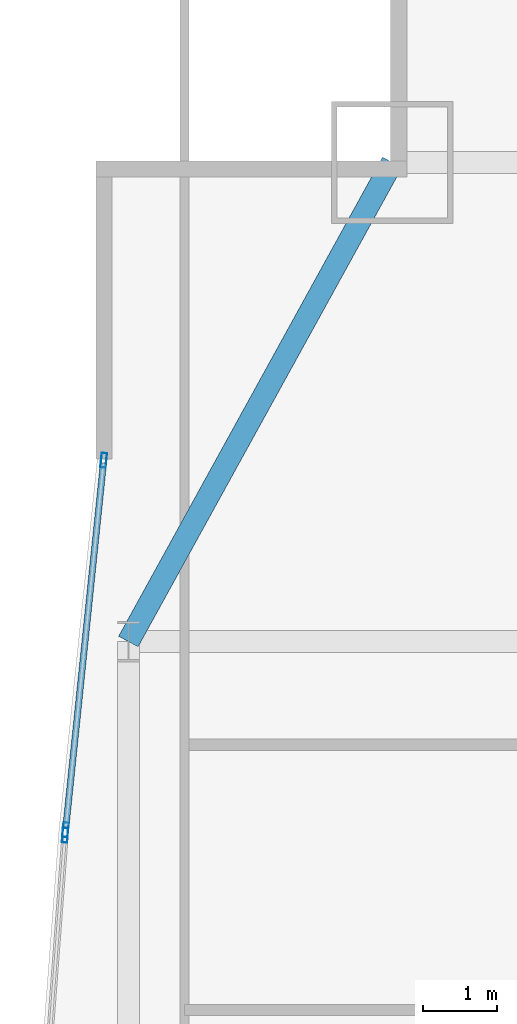
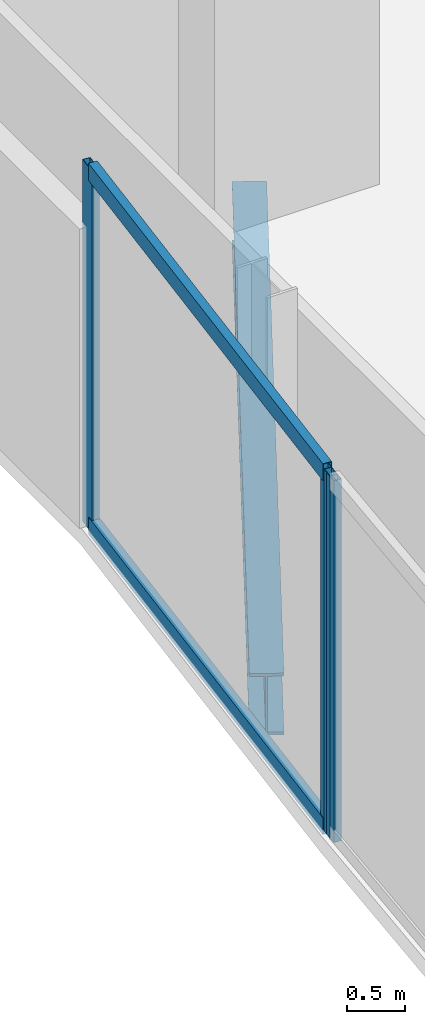
# One storey, part 16 of 32: 5 members, 1 beam, 2 elements without a shape of their own.
"""IFC4 building model written with IfcOpenShell, lengths in metres."""

from ifc_helpers import new_model, si_unit, direction, frame, origin, origin_2d, place, context, subcontext, project, spatial, hollow_rectangle, i_section, extrude, material, material_profile, profile_set, type_object, element, aggregate, save


model = new_model("IFC4")

# Units and contexts
model_context = context("Model", 3, precision=1e-05, world=origin(), true_north=direction((0.0, 1.0)))
body_context = subcontext(model_context, "Body", "Model", "MODEL_VIEW")
ifc_project = project(units=[si_unit("LENGTHUNIT", "METRE"), si_unit("AREAUNIT", "SQUARE_METRE"), si_unit("VOLUMEUNIT", "CUBIC_METRE"), si_unit("PLANEANGLEUNIT", "RADIAN"), si_unit("MASSUNIT", "GRAM", prefix="KILO")], contexts=[model_context])

# Site, building, storey
site_placement = place(None, origin())
site = spatial("IfcSite", under=ifc_project, at=site_placement, CompositionType="ELEMENT")
building_placement = place(site_placement, origin())
building = spatial("IfcBuilding", under=site, at=building_placement, Name="Khoronbel Lancet Exchange", CompositionType="ELEMENT")
storey_placement = place(building_placement, frame((0.0, 0.0, 29.800048828125)))
storey = spatial("IfcBuildingStorey", under=building, at=storey_placement, Name="L06", CompositionType="ELEMENT", Elevation=29.800048828125)

# Beam
ifc_material_1 = material(Name="Steel S355", Category="steel")
ifc_material_profile_1 = material_profile(ifc_material_1, i_section(OverallWidth=0.300048828125, OverallDepth=0.64990234375, WebThickness=0.01611328125, FlangeThickness=0.031005859375, at=origin_2d()), Name="HEB 650")
ifc_profile_set_1 = profile_set([ifc_material_profile_1], Name="Steel S355")
beam_type = type_object("IfcBeamType", Name="BM-BSP1", PredefinedType="SPANDREL", material=ifc_profile_set_1)
beam_placement = place(storey_placement, frame((4.85009765625, 49.699951171875, -0.505126953125), z_axis=(-0.482444051088, -0.875926787791, 0.0), x_axis=(0.875926787791, -0.482444051088, 0.0)))
element("IfcBeam", 1, at=beam_placement, inside=storey, type_object=beam_type, Name="Level L06 perimeter spandrel beam SP16", PredefinedType="SPANDREL", context=body_context, shape_type="SweptSolid", body=[
    extrude(i_section(OverallWidth=0.300048828125, OverallDepth=0.64990234375, WebThickness=0.01611328125, FlangeThickness=0.031005859375, at=origin_2d()), origin(), (0.0, 0.0, 1.0), 7.420654296875),
])

# Curtain wall, member
ifc_material_2 = material(Name="Low-E Solar Control Insulating Glass", Category="glass")
curtain_wall_type = type_object("IfcCurtainWallType", Name="CW-4", PredefinedType="NOTDEFINED", material=ifc_material_2)
curtain_wall_1_placement = place(storey_placement, origin())
curtain_wall_1 = element("IfcCurtainWall", 2, at=curtain_wall_1_placement, inside=storey, type_object=curtain_wall_type, Name="Unitised curtain wall CW-L06-E08", PredefinedType="NOTDEFINED")
ifc_material_3 = material(Name="Bronze-Anodised Aluminium 6063-T6", Category="aluminium")
ifc_material_profile_2 = material_profile(ifc_material_3, hollow_rectangle(XDim=0.074951171875, YDim=0.199951171875, WallThickness=0.0048828125, at=origin_2d()), Name="ALU MULLION 75x200")
ifc_profile_set_2 = profile_set([ifc_material_profile_2], Name="Bronze-Anodised Aluminium 6063-T6")
member_type_1 = type_object("IfcMemberType", Name="MEM-CWM2", PredefinedType="MULLION", material=ifc_profile_set_2)
member_1_placement = place(storey_placement, frame((0.411865234375, 40.5712890625, 0.0), z_axis=(0.0, 0.0, 1.0), x_axis=(-0.997153744129, 0.075395030141, 0.0)))
member_1 = element("IfcMember", 3, at=member_1_placement, type_object=member_type_1, Name="CW4 mullion 2", PredefinedType="MULLION", context=body_context, shape_type="SweptSolid", body=[
    extrude(hollow_rectangle(XDim=0.074951171875, YDim=0.199951171875, WallThickness=0.0048828125, at=origin_2d()), origin(), (0.0, 0.0, 1.0), 3.820068359375),
])
aggregate(curtain_wall_1, [member_1])

# Curtain wall, members
curtain_wall_2_placement = place(storey_placement, origin())
curtain_wall_2 = element("IfcCurtainWall", 4, at=curtain_wall_2_placement, inside=storey, type_object=curtain_wall_type, Name="Unitised curtain wall CW-L06-E09", PredefinedType="NOTDEFINED")
member_2_placement = place(storey_placement, frame((0.41845703125, 40.64599609375, 0.0), z_axis=(0.0, 0.0, 1.0), x_axis=(-0.994709998998, 0.102723015403, 0.0)))
member_2 = element("IfcMember", 5, at=member_2_placement, type_object=member_type_1, Name="CW4 mullion 1", PredefinedType="MULLION", context=body_context, shape_type="SweptSolid", body=[
    extrude(hollow_rectangle(XDim=0.074951171875, YDim=0.199951171875, WallThickness=0.0048828125, at=origin_2d()), origin(), (0.0, 0.0, 1.0), 3.820068359375),
])
member_3_placement = place(storey_placement, frame((0.93603515625, 45.658203125, 0.0), z_axis=(0.0, 0.0, 1.0), x_axis=(-0.994709998998, 0.102723015403, 0.0)))
member_3 = element("IfcMember", 6, at=member_3_placement, type_object=member_type_1, Name="CW4 mullion 2", PredefinedType="MULLION", context=body_context, shape_type="SweptSolid", body=[
    extrude(hollow_rectangle(XDim=0.074951171875, YDim=0.199951171875, WallThickness=0.0048828125, at=origin_2d()), origin(), (0.0, 0.0, 1.0), 3.820068359375),
])
ifc_material_profile_3 = material_profile(ifc_material_3, hollow_rectangle(XDim=0.0849609375, YDim=0.179931640625, WallThickness=0.0048828125, at=origin_2d()), Name="ALU TRANSOM 85x180")
ifc_profile_set_3 = profile_set([ifc_material_profile_3], Name="Bronze-Anodised Aluminium 6063-T6")
member_type_2 = type_object("IfcMemberType", Name="MEM-CWT1", PredefinedType="USERDEFINED", material=ifc_profile_set_3)
member_4_placement = place(storey_placement, frame((0.42236328125, 40.683349609375, 0.04248046875), z_axis=(0.102746446428, 0.994707579013, 0.0), x_axis=(-0.994707579013, 0.102746446428, 0.0)))
member_4 = element("IfcMember", 7, at=member_4_placement, type_object=member_type_2, Name="CW4 transom 1.1", ObjectType="TRANSOM", PredefinedType="USERDEFINED", context=body_context, shape_type="SweptSolid", body=[
    extrude(hollow_rectangle(XDim=0.0849609375, YDim=0.179931640625, WallThickness=0.0048828125, at=origin_2d()), origin(), (0.0, 0.0, 1.0), 4.9638671875),
])
member_5_placement = place(storey_placement, frame((0.42236328125, 40.683349609375, 3.77734375), z_axis=(0.102746446428, 0.994707579013, 0.0), x_axis=(-0.994707579013, 0.102746446428, 0.0)))
member_5 = element("IfcMember", 8, at=member_5_placement, type_object=member_type_2, Name="CW4 transom 1.2", ObjectType="TRANSOM", PredefinedType="USERDEFINED", context=body_context, shape_type="SweptSolid", body=[
    extrude(hollow_rectangle(XDim=0.0849609375, YDim=0.179931640625, WallThickness=0.0048828125, at=origin_2d()), origin(), (0.0, 0.0, 1.0), 4.9638671875),
])
aggregate(curtain_wall_2, [member_2, member_3, member_4, member_5])

save(model, "model.ifc")
